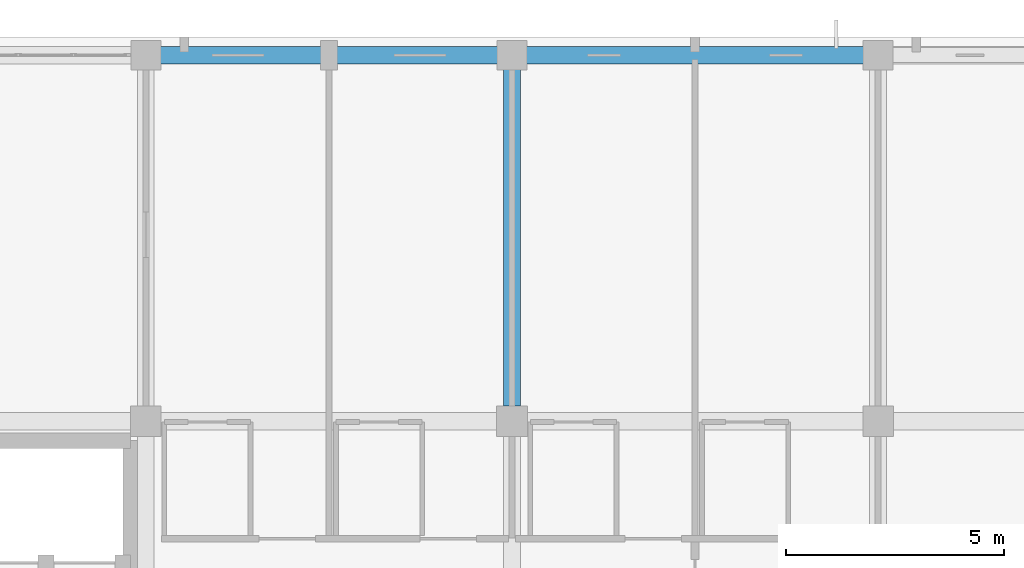
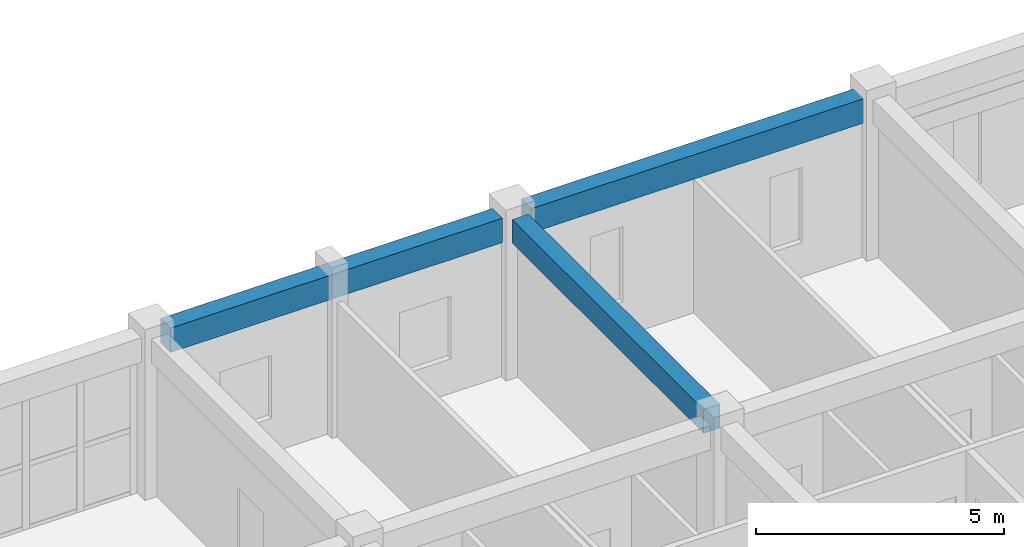
# One storey, part 57 of 140: 3 beams.
"""IFC4 building model written with IfcOpenShell, lengths in metres."""

from ifc_helpers import new_model, si_unit, direction, frame, origin, origin_2d, place, context, subcontext, project, spatial, rectangle, extrude, material, material_profile, profile_set, type_object, element, save


model = new_model("IFC4")

# Units and contexts
model_context = context("Model", 3, precision=1e-05, world=origin(), true_north=direction((0.0, 1.0)))
body_context = subcontext(model_context, "Body", "Model", "MODEL_VIEW")
ifc_project = project(units=[si_unit("LENGTHUNIT", "METRE"), si_unit("AREAUNIT", "SQUARE_METRE"), si_unit("VOLUMEUNIT", "CUBIC_METRE"), si_unit("PLANEANGLEUNIT", "RADIAN"), si_unit("MASSUNIT", "GRAM", prefix="KILO")], contexts=[model_context])

# Site, building, storey
site_placement = place(None, origin())
site = spatial("IfcSite", under=ifc_project, at=site_placement, CompositionType="ELEMENT")
building_placement = place(site_placement, origin())
building = spatial("IfcBuilding", under=site, at=building_placement, Name="Trelvath General Hospital", CompositionType="ELEMENT")
storey_placement = place(building_placement, frame((0.0, 0.0, 16.199951171875)))
storey = spatial("IfcBuildingStorey", under=building, at=storey_placement, Name="L04", CompositionType="ELEMENT", Elevation=16.199951171875)

# Beams
ifc_material_1 = material(Name="Concrete C35/45", Category="concrete")
ifc_material_profile_1 = material_profile(ifc_material_1, rectangle(XDim=0.3798828125, YDim=0.580078125, at=origin_2d()), Name="RCB380x580")
ifc_profile_set_1 = profile_set([ifc_material_profile_1], Name="Concrete C35/45")
beam_type_1 = type_object("IfcBeamType", Name="Beam RC380x580", PredefinedType="BEAM", material=ifc_profile_set_1)
beam_placement = place(storey_placement, frame((58.800048828125, 109.544921875, 3.630126953125), z_axis=(0.0, 1.0, 0.0), x_axis=(-1.0, 0.0, 0.0)))
element("IfcBeam", 1, at=beam_placement, inside=storey, type_object=beam_type_1, Name="Grid Beam BY-407N", PredefinedType="BEAM", context=body_context, shape_type="SweptSolid", body=[
    extrude(rectangle(XDim=0.3798828125, YDim=0.580078125, at=origin_2d()), origin(), (0.0, 0.0, 1.0), 7.719970703125),
])
ifc_material_2 = material(Name="Concrete C35/45", Category="concrete")
ifc_material_profile_2 = material_profile(ifc_material_2, rectangle(XDim=0.39990234375, YDim=0.60009765625, at=origin_2d()), Name="RCB400x600")
ifc_profile_set_2 = profile_set([ifc_material_profile_2], Name="Concrete C35/45")
beam_type_2 = type_object("IfcBeamType", Name="Beam RC400x600", PredefinedType="BEAM", material=ifc_profile_set_2)
for number, where, z_axis, x_axis, name in (
    (2, (50.735107421875, 117.60009765625, 3.6201171875), (1.0, 0.0, 0.0), (0.0, 1.0, 0.0), "Grid Beam BX-406O"),
    (3, (59.135009765625, 117.60009765625, 3.6201171875), (1.0, 0.0, 0.0), (0.0, 1.0, 0.0), "Grid Beam BX-407O"),
):
    element("IfcBeam", number, at=place(storey_placement, frame(where, z_axis=z_axis, x_axis=x_axis)), inside=storey, type_object=beam_type_2, Name=name, PredefinedType="BEAM", context=body_context, shape_type="SweptSolid", body=[
        extrude(rectangle(XDim=0.39990234375, YDim=0.60009765625, at=origin_2d()), origin(), (0.0, 0.0, 1.0), 7.72998046875),
    ])

save(model, "model.ifc")
